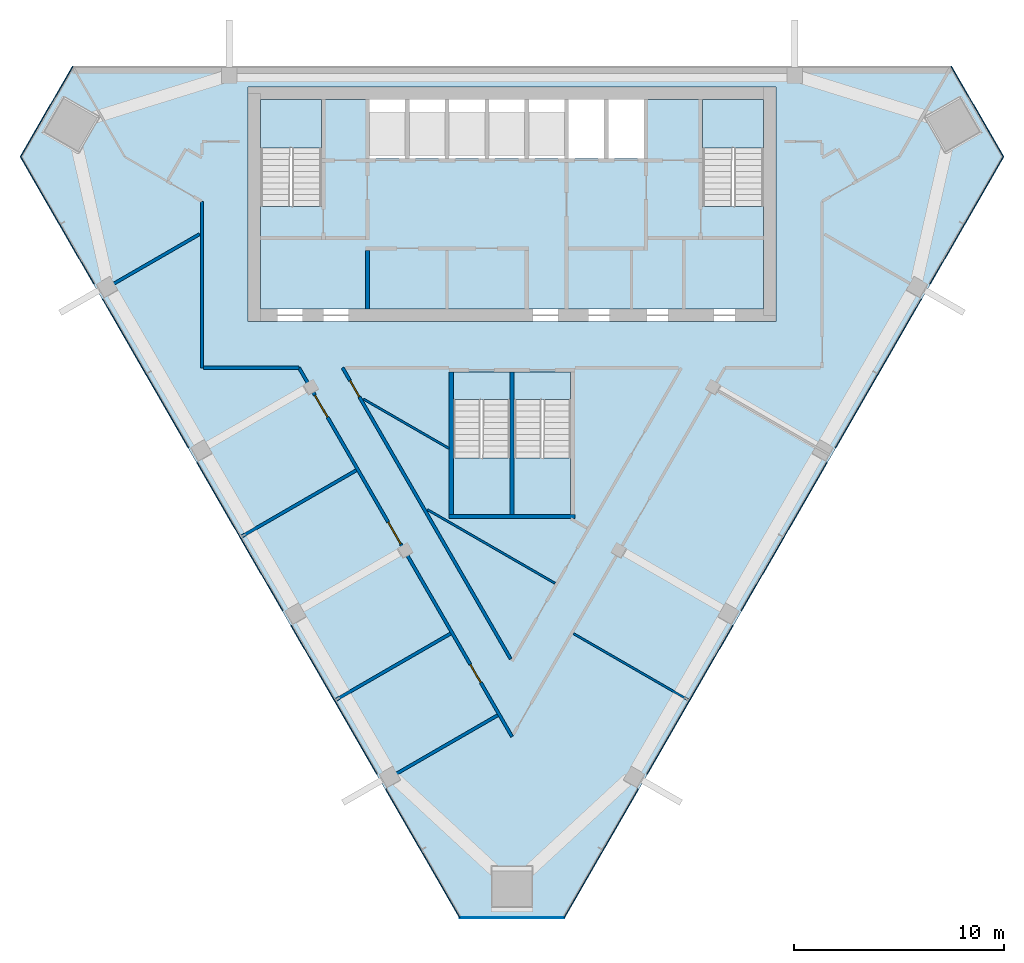
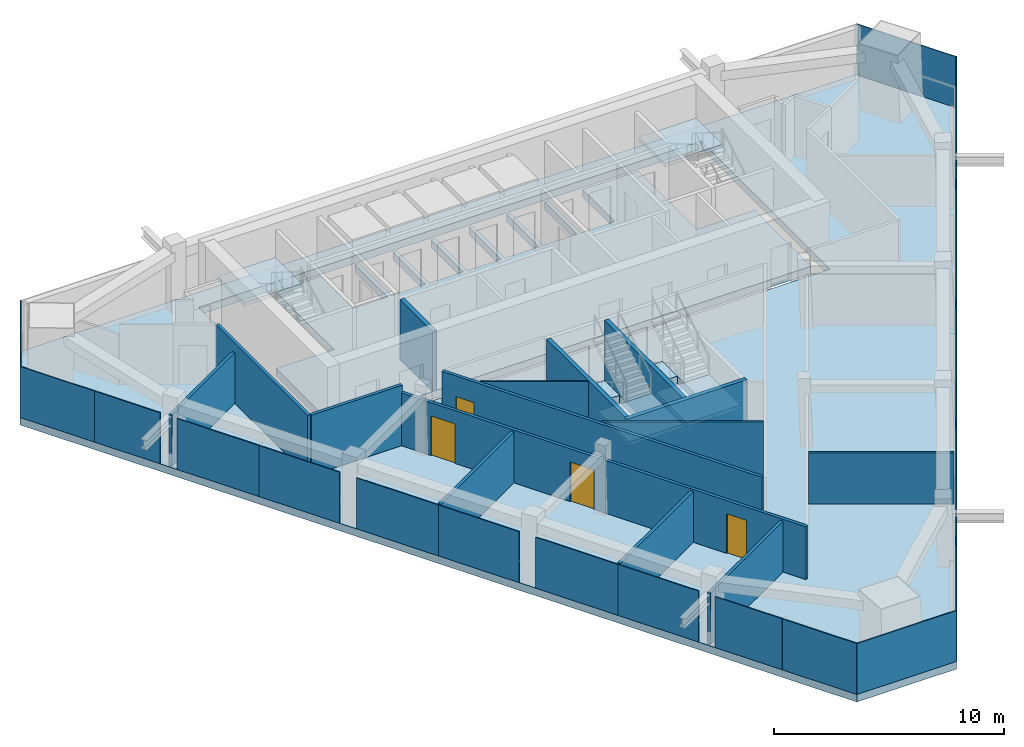
# One storey, part 7 of 12: 23 plates, 15 walls, 8 slabs, 4 doors, 4 openings, 9 elements without a shape of their own.
"""IFC4 building model written with IfcOpenShell, lengths in metres."""

import ifcopenshell
import ifcopenshell.guid

model = None  # the IFC model being written
_history = None  # IfcOwnerHistory: only IFC2X3 demands one
_inside = {}  # id of a spatial element -> (the spatial element, [elements in it])
_under = {}  # id of a project, library or spatial element -> (it, [spatial elements below it])
_declared = {}  # id of a project -> (the project, [libraries it declares])
_typed = {}  # id of a type object -> (the type object, [elements of that type])
_made_of = {}  # id of a material, layer set ... -> (it, [elements and type objects made of it])


def new_model(schema):
    """Start an empty IFC model of exactly this schema.

    Asked for "IFC4X3", IfcOpenShell would pick the latest addendum, in which some entities
    have other attributes; the version numbers below select the first issue.
    IFC2X3 requires an IfcOwnerHistory on every rooted entity: one is made here for all.
    """
    global model, _history
    if schema == "IFC4X3":
        model = ifcopenshell.file(schema_version=(4, 3, 0, 0))
    else:
        model = ifcopenshell.file(schema=schema)
    _inside.clear()
    _under.clear()
    _declared.clear()
    _typed.clear()
    _made_of.clear()
    _history = None
    if model.schema == "IFC2X3":
        org = make("IfcOrganization", Name="unknown")
        user = make(
            "IfcPersonAndOrganization",
            ThePerson=make("IfcPerson", FamilyName="unknown"),
            TheOrganization=org,
        )
        app = make(
            "IfcApplication",
            ApplicationDeveloper=org,
            Version="unknown",
            ApplicationFullName="unknown",
            ApplicationIdentifier="unknown",
        )
        _history = make(
            "IfcOwnerHistory",
            OwningUser=user,
            OwningApplication=app,
            ChangeAction="ADDED",
            CreationDate=0,
        )
    return model


def make(cls, **values):
    """One entity of the class cls with the attributes given. An attribute that is None is left unset."""
    return model.create_entity(
        cls, **{name: value for name, value in values.items() if value is not None}
    )


def rooted(cls, **values):
    """An entity with a GlobalId (a new one), such as an element, a storey or a relation."""
    return make(cls, GlobalId=ifcopenshell.guid.new(), OwnerHistory=_history, **values)


def si_unit(unit_type, name, prefix=None):
    """IfcSIUnit, for example si_unit("LENGTHUNIT", "METRE", prefix="MILLI")."""
    return make("IfcSIUnit", UnitType=unit_type, Prefix=prefix, Name=name)


def assignment(units):
    """IfcUnitAssignment: the units of a project."""
    return None if units is None else make("IfcUnitAssignment", Units=units)


def point(xyz):
    """IfcCartesianPoint."""
    return None if xyz is None else make("IfcCartesianPoint", Coordinates=xyz)


def direction(xyz):
    """IfcDirection."""
    return None if xyz is None else make("IfcDirection", DirectionRatios=xyz)


def frame(location, z_axis=None, x_axis=None):
    """IfcAxis2Placement3D, a coordinate frame: its origin and axes. An axis left out is left unset."""
    return make(
        "IfcAxis2Placement3D",
        Location=point(location),
        Axis=direction(z_axis),
        RefDirection=direction(x_axis),
    )


def frame_2d(location, x_axis=None):
    """IfcAxis2Placement2D, a coordinate frame in the plane: its origin and x axis."""
    return make(
        "IfcAxis2Placement2D", Location=point(location), RefDirection=direction(x_axis)
    )


def origin():
    """The frame at (0, 0, 0) with its axes left unset."""
    return frame((0.0, 0.0, 0.0))


def origin_2d():
    """The frame at (0, 0) in the plane with its x axis left unset."""
    return frame_2d((0.0, 0.0))


def place(relative_to, where):
    """IfcLocalPlacement: puts the frame where relative to a parent placement (None: the world)."""
    return make(
        "IfcLocalPlacement", PlacementRelTo=relative_to, RelativePlacement=where
    )


def context(
    kind, dimensions, precision=None, world=None, true_north=None, identifier=None
):
    """IfcGeometricRepresentationContext, for example the 3D "Model" context."""
    return make(
        "IfcGeometricRepresentationContext",
        ContextIdentifier=identifier,
        ContextType=kind,
        CoordinateSpaceDimension=dimensions,
        Precision=precision,
        WorldCoordinateSystem=world,
        TrueNorth=true_north,
    )


def subcontext(parent, identifier, kind, view, scale=None):
    """IfcGeometricRepresentationSubContext, for example "Body" below "Model"."""
    return make(
        "IfcGeometricRepresentationSubContext",
        ContextIdentifier=identifier,
        ContextType=kind,
        ParentContext=parent,
        TargetScale=scale,
        TargetView=view,
    )


def project(units=None, contexts=None):
    """IfcProject with its units and contexts."""
    return rooted(
        "IfcProject",
        Name="project",
        RepresentationContexts=contexts,
        UnitsInContext=assignment(units),
    )


def spatial(cls, under=None, at=None, **own):
    """A site, building, storey or space (cls), placed at a placement, below another one or the project."""
    s = rooted(cls, ObjectPlacement=at, **own)
    if under is not None:
        _under.setdefault(under.id(), (under, []))[1].append(s)
    return s


def polyline(points):
    """IfcPolyline through the points."""
    return make("IfcPolyline", Points=[point(p) for p in points])


def profile(cls, at=None, kind="AREA", **sizes):
    """A parametric profile (cls). Its sizes go by their IFC names, for example OverallWidth=200.0."""
    return make(cls, ProfileType=kind, Position=at, **sizes)


def rectangle(**sizes):
    """IfcRectangleProfileDef."""
    return profile("IfcRectangleProfileDef", **sizes)


def outline(outer, holes=None, kind="AREA"):
    """IfcArbitraryClosedProfileDef: a profile drawn as a closed curve; with holes, ...WithVoids."""
    if holes is None:
        return make("IfcArbitraryClosedProfileDef", ProfileType=kind, OuterCurve=outer)
    return make(
        "IfcArbitraryProfileDefWithVoids",
        ProfileType=kind,
        OuterCurve=outer,
        InnerCurves=holes,
    )


def extrude(swept, where, along, depth):
    """IfcExtrudedAreaSolid: the profile swept, set in the frame where, extruded along a direction by depth."""
    return make(
        "IfcExtrudedAreaSolid",
        SweptArea=swept,
        Position=where,
        ExtrudedDirection=direction(along),
        Depth=depth,
    )


def shape(context_of_items, identifier, shape_type, items):
    """IfcShapeRepresentation: the items that make up one representation, for example the "Body"."""
    return make(
        "IfcShapeRepresentation",
        ContextOfItems=context_of_items,
        RepresentationIdentifier=identifier,
        RepresentationType=shape_type,
        Items=items,
    )


def material(Name=None, Category=None):
    """IfcMaterial."""
    return make("IfcMaterial", Name=Name, Category=Category)


def layer(
    of_material, thickness, ventilated=None, Name=None, Category=None, Priority=None
):
    """IfcMaterialLayer: one layer of a wall or slab, of a material (None: an air gap)."""
    return make(
        "IfcMaterialLayer",
        Material=of_material,
        LayerThickness=thickness,
        IsVentilated=ventilated,
        Name=Name,
        Category=Category,
        Priority=Priority,
    )


def layer_set(layers, Name=None):
    """IfcMaterialLayerSet."""
    return make("IfcMaterialLayerSet", MaterialLayers=layers, LayerSetName=Name)


def made_of(thing, what):
    """Note that an element or type object is made of a material, layer set ...; save() writes the relation."""
    if what is not None:
        _made_of.setdefault(what.id(), (what, []))[1].append(thing)
    return thing


def type_object(cls, material=None, **own):
    """A type object (cls), such as IfcWallType, which elements share."""
    return made_of(rooted(cls, **own), material)


def element(
    cls,
    number,
    at=None,
    inside=None,
    cuts=None,
    type_object=None,
    material=None,
    context=None,
    identifier="Body",
    shape_type=None,
    held_by="IfcProductDefinitionShape",
    body=None,
    shapes=None,
    **own,
):
    """One element of the class cls, such as IfcWall. Its Tag is "e" and its number.

    at: its placement. inside: the storey or other place that contains it. cuts: it is an
    opening in that element (IfcRelVoidsElement). A single representation is given by context,
    identifier, shape_type and body (its items); several are given by shapes. held_by: the class
    of the entity that holds the representations. save() writes the other relations.
    """
    e = rooted(cls, Tag="e%d" % number, ObjectPlacement=at, **own)
    if body is not None:
        shapes = [shape(context, identifier, shape_type, body)]
    if shapes is not None:
        e.Representation = make(held_by, Representations=shapes)
    if inside is not None:
        _inside.setdefault(inside.id(), (inside, []))[1].append(e)
    if cuts is not None:
        rooted(
            "IfcRelVoidsElement", RelatingBuildingElement=cuts, RelatedOpeningElement=e
        )
    if type_object is not None:
        _typed.setdefault(type_object.id(), (type_object, []))[1].append(e)
    return made_of(e, material)


def fill(opening, filler):
    """IfcRelFillsElement: the door or window that sits in an opening."""
    return rooted(
        "IfcRelFillsElement",
        RelatingOpeningElement=opening,
        RelatedBuildingElement=filler,
    )


def aggregate(whole, parts):
    """IfcRelAggregates: a whole, such as a stair, and the parts it consists of."""
    return rooted("IfcRelAggregates", RelatingObject=whole, RelatedObjects=parts)


def save(model, path):
    """Write the relations noted so far, then the file.

    IfcRelAggregates (storeys below a building ...), IfcRelContainedInSpatialStructure (elements
    in a storey), IfcRelDefinesByType, IfcRelAssociatesMaterial and IfcRelDeclares: one each for
    every whole, place, type object, material and project.
    """
    for whole, parts in _under.values():
        aggregate(whole, parts)
    for where, things in _inside.values():
        rooted(
            "IfcRelContainedInSpatialStructure",
            RelatedElements=things,
            RelatingStructure=where,
        )
    for kind, things in _typed.values():
        rooted("IfcRelDefinesByType", RelatedObjects=things, RelatingType=kind)
    for what, things in _made_of.values():
        rooted("IfcRelAssociatesMaterial", RelatedObjects=things, RelatingMaterial=what)
    for by, libraries in _declared.values():
        rooted("IfcRelDeclares", RelatingContext=by, RelatedDefinitions=libraries)
    model.write(path)


model = new_model("IFC4")

# Units and contexts
model_context = context("Model", 3, precision=1e-05, world=origin(), true_north=direction((0.0, 1.0)))
body_context = subcontext(model_context, "Body", "Model", "MODEL_VIEW")
ifc_project = project(units=[si_unit("LENGTHUNIT", "METRE"), si_unit("AREAUNIT", "SQUARE_METRE"), si_unit("VOLUMEUNIT", "CUBIC_METRE"), si_unit("PLANEANGLEUNIT", "RADIAN"), si_unit("MASSUNIT", "GRAM", prefix="KILO")], contexts=[model_context])

# Site, building, storey
site_placement = place(None, origin())
site = spatial("IfcSite", under=ifc_project, at=site_placement, CompositionType="ELEMENT")
building_placement = place(site_placement, origin())
building = spatial("IfcBuilding", under=site, at=building_placement, Name="Altiplano Prism Tower", CompositionType="ELEMENT")
storey_placement = place(building_placement, frame((0.0, 0.0, 260.800048828125)))
storey = spatial("IfcBuildingStorey", under=building, at=storey_placement, Name="L67", CompositionType="ELEMENT", Elevation=260.800048828125)

# Curtain wall, plate
ifc_material_1 = material(Name="Aluminium and glass", Category="aluminium")
ifc_layer_1 = layer(ifc_material_1, 0.303955078125)
ifc_layer_set_1 = layer_set([ifc_layer_1], Name="Aluminium and glass")
curtain_wall_type = type_object("IfcCurtainWallType", Name="CW2 lounge-band unitised glazing", PredefinedType="NOTDEFINED", material=ifc_layer_set_1)
curtain_wall_1_placement = place(storey_placement, origin())
curtain_wall_1 = element("IfcCurtainWall", 1, at=curtain_wall_1_placement, inside=storey, type_object=curtain_wall_type, Name="CW2 curtain wall north-west chamfer L67", PredefinedType="NOTDEFINED")
ifc_material_2 = material(Name="Clear glass", Category="glass")
ifc_layer_2 = layer(ifc_material_2, 0.0439453125)
ifc_layer_set_2 = layer_set([ifc_layer_2], Name="Clear glass")
plate_type = type_object("IfcPlateType", Name="CW2 insulated glass unit 44", PredefinedType="CURTAIN_PANEL", material=ifc_layer_set_2)
plate_1_placement = place(storey_placement, frame((62.78662109375, 102.823486328125, 0.0), z_axis=(0.0, 0.0, 1.0), x_axis=(-0.500000026149, -0.866025388687, 0.0)))
plate_1 = element("IfcPlate", 2, at=plate_1_placement, type_object=plate_type, Name="CW2 panel", PredefinedType="CURTAIN_PANEL", context=body_context, shape_type="SweptSolid", body=[
    extrude(rectangle(XDim=4.9912109375, YDim=0.0439453125, at=origin_2d()), origin(), (0.0, 0.0, 1.0), 2.699951171875),
])
aggregate(curtain_wall_1, [plate_1])

# Curtain wall, plates
curtain_wall_2_placement = place(storey_placement, origin())
curtain_wall_2 = element("IfcCurtainWall", 3, at=curtain_wall_2_placement, inside=storey, type_object=curtain_wall_type, Name="CW2 curtain wall south-west face L67", PredefinedType="NOTDEFINED")
plate_2_placement = place(storey_placement, frame((62.4716796875, 99.059814453125, 0.0), z_axis=(0.0, 0.0, 1.0), x_axis=(0.500000006273, -0.866025400163, 0.0)))
plate_2 = element("IfcPlate", 4, at=plate_2_placement, type_object=plate_type, Name="CW2 panel", PredefinedType="CURTAIN_PANEL", context=body_context, shape_type="SweptSolid", body=[
    extrude(rectangle(XDim=3.73095703125, YDim=0.0439453125, at=origin_2d()), origin(), (0.0, 0.0, 1.0), 2.699951171875),
])
plate_3_placement = place(storey_placement, frame((64.228515625, 96.016845703125, 0.0), z_axis=(0.0, 0.0, 1.0), x_axis=(0.500000006273, -0.866025400163, 0.0)))
plate_3 = element("IfcPlate", 5, at=plate_3_placement, type_object=plate_type, Name="CW2 panel", PredefinedType="CURTAIN_PANEL", context=body_context, shape_type="SweptSolid", body=[
    extrude(rectangle(XDim=3.2763671875, YDim=0.0439453125, at=origin_2d()), origin(), (0.0, 0.0, 1.0), 2.699951171875),
])
plate_4_placement = place(storey_placement, frame((66.496337890625, 92.0888671875, 0.0), z_axis=(0.0, 0.0, 1.0), x_axis=(0.500000006273, -0.866025400163, 0.0)))
plate_4 = element("IfcPlate", 6, at=plate_4_placement, type_object=plate_type, Name="CW2 panel", PredefinedType="CURTAIN_PANEL", context=body_context, shape_type="SweptSolid", body=[
    extrude(rectangle(XDim=4.114501953125, YDim=0.0439453125, at=origin_2d()), origin(), (0.0, 0.0, 1.0), 2.699951171875),
])
plate_5_placement = place(storey_placement, frame((68.538818359375, 88.55126953125, 0.0), z_axis=(0.0, 0.0, 1.0), x_axis=(0.500000006273, -0.866025400163, 0.0)))
plate_5 = element("IfcPlate", 7, at=plate_5_placement, type_object=plate_type, Name="CW2 panel", PredefinedType="CURTAIN_PANEL", context=body_context, shape_type="SweptSolid", body=[
    extrude(rectangle(XDim=4.035400390625, YDim=0.0439453125, at=origin_2d()), origin(), (0.0, 0.0, 1.0), 2.699951171875),
])
plate_6_placement = place(storey_placement, frame((70.996337890625, 84.294677734375, 0.0), z_axis=(0.0, 0.0, 1.0), x_axis=(0.500000006273, -0.866025400163, 0.0)))
plate_6 = element("IfcPlate", 8, at=plate_6_placement, type_object=plate_type, Name="CW2 panel", PredefinedType="CURTAIN_PANEL", context=body_context, shape_type="SweptSolid", body=[
    extrude(rectangle(XDim=4.114501953125, YDim=0.0439453125, at=origin_2d()), origin(), (0.0, 0.0, 1.0), 2.699951171875),
])
plate_7_placement = place(storey_placement, frame((73.038818359375, 80.757080078125, 0.0), z_axis=(0.0, 0.0, 1.0), x_axis=(0.500000006273, -0.866025400163, 0.0)))
plate_7 = element("IfcPlate", 9, at=plate_7_placement, type_object=plate_type, Name="CW2 panel", PredefinedType="CURTAIN_PANEL", context=body_context, shape_type="SweptSolid", body=[
    extrude(rectangle(XDim=4.035400390625, YDim=0.0439453125, at=origin_2d()), origin(), (0.0, 0.0, 1.0), 2.699951171875),
])
plate_8_placement = place(storey_placement, frame((75.496337890625, 76.50048828125, 0.0), z_axis=(0.0, 0.0, 1.0), x_axis=(0.500000006273, -0.866025400163, 0.0)))
plate_8 = element("IfcPlate", 10, at=plate_8_placement, type_object=plate_type, Name="CW2 panel", PredefinedType="CURTAIN_PANEL", context=body_context, shape_type="SweptSolid", body=[
    extrude(rectangle(XDim=4.114501953125, YDim=0.0439453125, at=origin_2d()), origin(), (0.0, 0.0, 1.0), 2.699951171875),
])
plate_9_placement = place(storey_placement, frame((77.538818359375, 72.962890625, 0.0), z_axis=(0.0, 0.0, 1.0), x_axis=(0.500000006273, -0.866025400163, 0.0)))
plate_9 = element("IfcPlate", 11, at=plate_9_placement, type_object=plate_type, Name="CW2 panel", PredefinedType="CURTAIN_PANEL", context=body_context, shape_type="SweptSolid", body=[
    extrude(rectangle(XDim=4.035400390625, YDim=0.0439453125, at=origin_2d()), origin(), (0.0, 0.0, 1.0), 2.699951171875),
])
plate_10_placement = place(storey_placement, frame((79.806640625, 69.034912109375, 0.0), z_axis=(0.0, 0.0, 1.0), x_axis=(0.500000006273, -0.866025400163, 0.0)))
plate_10 = element("IfcPlate", 12, at=plate_10_placement, type_object=plate_type, Name="CW2 panel", PredefinedType="CURTAIN_PANEL", context=body_context, shape_type="SweptSolid", body=[
    extrude(rectangle(XDim=3.35546875, YDim=0.0439453125, at=origin_2d()), origin(), (0.0, 0.0, 1.0), 2.699951171875),
])
plate_11_placement = place(storey_placement, frame((81.583251953125, 65.957763671875, 0.0), z_axis=(0.0, 0.0, 1.0), x_axis=(0.500000006273, -0.866025400163, 0.0)))
plate_11 = element("IfcPlate", 13, at=plate_11_placement, type_object=plate_type, Name="CW2 panel", PredefinedType="CURTAIN_PANEL", context=body_context, shape_type="SweptSolid", body=[
    extrude(rectangle(XDim=3.73095703125, YDim=0.0439453125, at=origin_2d()), origin(), (0.0, 0.0, 1.0), 2.699951171875),
])
aggregate(curtain_wall_2, [plate_2, plate_3, plate_4, plate_5, plate_6, plate_7, plate_8, plate_9, plate_10, plate_11])

# Curtain wall, plate
curtain_wall_3_placement = place(storey_placement, origin())
curtain_wall_3 = element("IfcCurtainWall", 14, at=curtain_wall_3_placement, inside=storey, type_object=curtain_wall_type, Name="CW2 curtain wall south chamfer L67", PredefinedType="NOTDEFINED")
plate_12_placement = place(storey_placement, frame((85.0, 64.348876953125, 0.0), z_axis=(0.0, 0.0, 1.0), x_axis=(1.0, 0.0, 0.0)))
plate_12 = element("IfcPlate", 15, at=plate_12_placement, type_object=plate_type, Name="CW2 panel", PredefinedType="CURTAIN_PANEL", context=body_context, shape_type="SweptSolid", body=[
    extrude(rectangle(XDim=4.9912109375, YDim=0.0439453125, at=origin_2d()), origin(), (0.0, 0.0, 1.0), 2.699951171875),
])
aggregate(curtain_wall_3, [plate_12])

# Curtain wall, plates
curtain_wall_4_placement = place(storey_placement, origin())
curtain_wall_4 = element("IfcCurtainWall", 16, at=curtain_wall_4_placement, inside=storey, type_object=curtain_wall_type, Name="CW2 curtain wall south-east face L67", PredefinedType="NOTDEFINED")
plate_13_placement = place(storey_placement, frame((88.416748046875, 65.957763671875, 0.0), z_axis=(0.0, 0.0, 1.0), x_axis=(0.500000006273, 0.866025400163, 0.0)))
plate_13 = element("IfcPlate", 17, at=plate_13_placement, type_object=plate_type, Name="CW2 panel", PredefinedType="CURTAIN_PANEL", context=body_context, shape_type="SweptSolid", body=[
    extrude(rectangle(XDim=3.73095703125, YDim=0.0439453125, at=origin_2d()), origin(), (0.0, 0.0, 1.0), 2.699951171875),
])
plate_14_placement = place(storey_placement, frame((90.193359375, 69.034912109375, 0.0), z_axis=(0.0, 0.0, 1.0), x_axis=(0.500000006273, 0.866025400163, 0.0)))
plate_14 = element("IfcPlate", 18, at=plate_14_placement, type_object=plate_type, Name="CW2 panel", PredefinedType="CURTAIN_PANEL", context=body_context, shape_type="SweptSolid", body=[
    extrude(rectangle(XDim=3.35546875, YDim=0.0439453125, at=origin_2d()), origin(), (0.0, 0.0, 1.0), 2.699951171875),
])
plate_15_placement = place(storey_placement, frame((92.461181640625, 72.962890625, 0.0), z_axis=(0.0, 0.0, 1.0), x_axis=(0.500000006273, 0.866025400163, 0.0)))
plate_15 = element("IfcPlate", 19, at=plate_15_placement, type_object=plate_type, Name="CW2 panel", PredefinedType="CURTAIN_PANEL", context=body_context, shape_type="SweptSolid", body=[
    extrude(rectangle(XDim=4.035400390625, YDim=0.0439453125, at=origin_2d()), origin(), (0.0, 0.0, 1.0), 2.699951171875),
])
plate_16_placement = place(storey_placement, frame((94.503662109375, 76.50048828125, 0.0), z_axis=(0.0, 0.0, 1.0), x_axis=(0.500000006273, 0.866025400163, 0.0)))
plate_16 = element("IfcPlate", 20, at=plate_16_placement, type_object=plate_type, Name="CW2 panel", PredefinedType="CURTAIN_PANEL", context=body_context, shape_type="SweptSolid", body=[
    extrude(rectangle(XDim=4.114501953125, YDim=0.0439453125, at=origin_2d()), origin(), (0.0, 0.0, 1.0), 2.699951171875),
])
plate_17_placement = place(storey_placement, frame((96.961181640625, 80.757080078125, 0.0), z_axis=(0.0, 0.0, 1.0), x_axis=(0.500000006273, 0.866025400163, 0.0)))
plate_17 = element("IfcPlate", 21, at=plate_17_placement, type_object=plate_type, Name="CW2 panel", PredefinedType="CURTAIN_PANEL", context=body_context, shape_type="SweptSolid", body=[
    extrude(rectangle(XDim=4.035400390625, YDim=0.0439453125, at=origin_2d()), origin(), (0.0, 0.0, 1.0), 2.699951171875),
])
plate_18_placement = place(storey_placement, frame((99.003662109375, 84.294677734375, 0.0), z_axis=(0.0, 0.0, 1.0), x_axis=(0.500000006273, 0.866025400163, 0.0)))
plate_18 = element("IfcPlate", 22, at=plate_18_placement, type_object=plate_type, Name="CW2 panel", PredefinedType="CURTAIN_PANEL", context=body_context, shape_type="SweptSolid", body=[
    extrude(rectangle(XDim=4.114501953125, YDim=0.0439453125, at=origin_2d()), origin(), (0.0, 0.0, 1.0), 2.699951171875),
])
plate_19_placement = place(storey_placement, frame((101.461181640625, 88.55126953125, 0.0), z_axis=(0.0, 0.0, 1.0), x_axis=(0.500000006273, 0.866025400163, 0.0)))
plate_19 = element("IfcPlate", 23, at=plate_19_placement, type_object=plate_type, Name="CW2 panel", PredefinedType="CURTAIN_PANEL", context=body_context, shape_type="SweptSolid", body=[
    extrude(rectangle(XDim=4.035400390625, YDim=0.0439453125, at=origin_2d()), origin(), (0.0, 0.0, 1.0), 2.699951171875),
])
plate_20_placement = place(storey_placement, frame((103.503662109375, 92.0888671875, 0.0), z_axis=(0.0, 0.0, 1.0), x_axis=(0.500000006273, 0.866025400163, 0.0)))
plate_20 = element("IfcPlate", 24, at=plate_20_placement, type_object=plate_type, Name="CW2 panel", PredefinedType="CURTAIN_PANEL", context=body_context, shape_type="SweptSolid", body=[
    extrude(rectangle(XDim=4.114501953125, YDim=0.0439453125, at=origin_2d()), origin(), (0.0, 0.0, 1.0), 2.699951171875),
])
plate_21_placement = place(storey_placement, frame((105.771484375, 96.016845703125, 0.0), z_axis=(0.0, 0.0, 1.0), x_axis=(0.500000006273, 0.866025400163, 0.0)))
plate_21 = element("IfcPlate", 25, at=plate_21_placement, type_object=plate_type, Name="CW2 panel", PredefinedType="CURTAIN_PANEL", context=body_context, shape_type="SweptSolid", body=[
    extrude(rectangle(XDim=3.2763671875, YDim=0.0439453125, at=origin_2d()), origin(), (0.0, 0.0, 1.0), 2.699951171875),
])
plate_22_placement = place(storey_placement, frame((107.5283203125, 99.059814453125, 0.0), z_axis=(0.0, 0.0, 1.0), x_axis=(0.500000006273, 0.866025400163, 0.0)))
plate_22 = element("IfcPlate", 26, at=plate_22_placement, type_object=plate_type, Name="CW2 panel", PredefinedType="CURTAIN_PANEL", context=body_context, shape_type="SweptSolid", body=[
    extrude(rectangle(XDim=3.73095703125, YDim=0.0439453125, at=origin_2d()), origin(), (0.0, 0.0, 1.0), 2.699951171875),
])
aggregate(curtain_wall_4, [plate_13, plate_14, plate_15, plate_16, plate_17, plate_18, plate_19, plate_20, plate_21, plate_22])

# Curtain wall, plate
curtain_wall_5_placement = place(storey_placement, origin())
curtain_wall_5 = element("IfcCurtainWall", 27, at=curtain_wall_5_placement, inside=storey, type_object=curtain_wall_type, Name="CW2 curtain wall north-east chamfer L67", PredefinedType="NOTDEFINED")
plate_23_placement = place(storey_placement, frame((107.21337890625, 102.823486328125, 0.0), z_axis=(0.0, 0.0, 1.0), x_axis=(-0.500000026149, 0.866025388687, 0.0)))
plate_23 = element("IfcPlate", 28, at=plate_23_placement, type_object=plate_type, Name="CW2 panel", PredefinedType="CURTAIN_PANEL", context=body_context, shape_type="SweptSolid", body=[
    extrude(rectangle(XDim=4.9912109375, YDim=0.0439453125, at=origin_2d()), origin(), (0.0, 0.0, 1.0), 2.699951171875),
])
aggregate(curtain_wall_5, [plate_23])

# Slabs
ifc_material_3 = material(Name="Concrete C40/50", Category="concrete")
ifc_layer_3 = layer(ifc_material_3, 0.39990234375)
ifc_layer_set_3 = layer_set([ifc_layer_3], Name="Concrete C40/50")
slab_type_1 = type_object("IfcSlabType", Name="Core floor slab 400", PredefinedType="FLOOR", material=ifc_layer_set_3)
slab_1_placement = place(storey_placement, frame((0.0, 0.0, -0.400146484375)))
element("IfcSlab", 29, at=slab_1_placement, inside=storey, type_object=slab_type_1, Name="Core floor slab L67", PredefinedType="FLOOR", context=body_context, shape_type="SweptSolid", body=[
    extrude(outline(polyline([(97.0, 98.31005859375), (94.10009765625, 98.31005859375), (94.10009765625, 103.39990234375), (91.300048828125, 103.39990234375), (91.300048828125, 100.60009765625), (89.60009765625, 100.60009765625), (89.60009765625, 103.39990234375), (89.39990234375, 103.39990234375), (89.39990234375, 100.60009765625), (87.699951171875, 100.60009765625), (87.699951171875, 103.39990234375), (87.5, 103.39990234375), (87.5, 100.60009765625), (85.800048828125, 100.60009765625), (85.800048828125, 103.39990234375), (85.60009765625, 103.39990234375), (85.60009765625, 100.60009765625), (83.89990234375, 100.60009765625), (83.89990234375, 103.39990234375), (83.699951171875, 103.39990234375), (83.699951171875, 100.60009765625), (82.0, 100.60009765625), (82.0, 103.39990234375), (81.800048828125, 103.39990234375), (81.800048828125, 100.60009765625), (80.10009765625, 100.60009765625), (80.10009765625, 103.39990234375), (79.89990234375, 103.39990234375), (79.89990234375, 100.60009765625), (78.199951171875, 100.60009765625), (78.199951171875, 103.39990234375), (75.89990234375, 103.39990234375), (75.89990234375, 98.31005859375), (73.0, 98.31005859375), (73.0, 93.39990234375), (97.0, 93.39990234375), (97.0, 98.31005859375)])), origin(), (0.0, 0.0, 1.0), 0.400146484375),
])
slab_2_placement = place(storey_placement, frame((0.0, 0.0, -0.400146484375)))
element("IfcSlab", 30, at=slab_2_placement, inside=storey, type_object=slab_type_1, Name="Stair 3A landing slab L67", PredefinedType="FLOOR", context=body_context, shape_type="SweptSolid", body=[
    extrude(outline(polyline([(82.199951171875, 89.096923828125), (84.89990234375, 89.096923828125), (84.89990234375, 90.39990234375), (82.199951171875, 90.39990234375), (82.199951171875, 89.096923828125)])), origin(), (0.0, 0.0, 1.0), 0.400146484375),
])
slab_3_placement = place(storey_placement, frame((0.0, 0.0, -0.400146484375)))
element("IfcSlab", 31, at=slab_3_placement, inside=storey, type_object=slab_type_1, Name="Stair 3B landing slab L67", PredefinedType="FLOOR", context=body_context, shape_type="SweptSolid", body=[
    extrude(outline(polyline([(85.10009765625, 89.096923828125), (87.800048828125, 89.096923828125), (87.800048828125, 90.39990234375), (85.10009765625, 90.39990234375), (85.10009765625, 89.096923828125)])), origin(), (0.0, 0.0, 1.0), 0.400146484375),
])
ifc_layer_4 = layer(ifc_material_3, 0.39990234375)
ifc_layer_set_4 = layer_set([ifc_layer_4], Name="Concrete C40/50")
slab_type_2 = type_object("IfcSlabType", Name="Post-tensioned flat slab 400", PredefinedType="FLOOR", material=ifc_layer_set_4)
slab_4_placement = place(storey_placement, frame((0.0, 0.0, -0.400146484375)))
element("IfcSlab", 32, at=slab_4_placement, inside=storey, type_object=slab_type_2, Name="Floor slab L67", PredefinedType="FLOOR", context=body_context, shape_type="SweptSolid", body=[
    extrude(outline(polyline([(82.499267578125, 64.326904296875), (61.517333984375, 100.668701171875), (64.017822265625, 105.0), (105.982177734375, 105.0), (108.482666015625, 100.668701171875), (87.500732421875, 64.326904296875), (82.499267578125, 64.326904296875)]), holes=[polyline([(72.39990234375, 104.0), (72.39990234375, 92.800048828125), (97.60009765625, 92.800048828125), (97.60009765625, 104.0), (72.39990234375, 104.0)]), polyline([(84.89990234375, 90.39990234375), (82.199951171875, 90.39990234375), (82.199951171875, 83.60009765625), (84.89990234375, 83.60009765625), (84.89990234375, 90.39990234375)]), polyline([(87.800048828125, 83.60009765625), (87.800048828125, 90.39990234375), (85.10009765625, 90.39990234375), (85.10009765625, 83.60009765625), (87.800048828125, 83.60009765625)])]), origin(), (0.0, 0.0, 1.0), 0.400146484375),
])

# Stair, slab
stair_type_1 = type_object("IfcStairType", Name="Exit stair 1400", PredefinedType="HALF_TURN_STAIR", material=ifc_material_3)
stair_1_placement = place(storey_placement, origin())
stair_1 = element("IfcStair", 33, at=stair_1_placement, inside=storey, type_object=stair_type_1, Name="L67 Exit Stair 1", PredefinedType="HALF_TURN_STAIR")
ifc_layer_5 = layer(ifc_material_3, 0.199951171875)
ifc_layer_set_5 = layer_set([ifc_layer_5], Name="Concrete C40/50")
slab_type_3 = type_object("IfcSlabType", Name="Stair landing 200", PredefinedType="LANDING", material=ifc_layer_set_5)
slab_5_placement = place(storey_placement, frame((0.0, 0.0, 1.599853515625)))
slab_5 = element("IfcSlab", 34, at=slab_5_placement, type_object=slab_type_3, Name="ST1 landing 1", PredefinedType="LANDING", context=body_context, shape_type="SweptSolid", body=[
    extrude(outline(polyline([(75.89990234375, 101.096923828125), (75.89990234375, 103.39990234375), (73.0, 103.39990234375), (73.0, 101.096923828125), (75.89990234375, 101.096923828125)])), origin(), (0.0, 0.0, 1.0), 0.2001953125),
])
aggregate(stair_1, [slab_5])

stair_2_placement = place(storey_placement, origin())
stair_2 = element("IfcStair", 35, at=stair_2_placement, inside=storey, type_object=stair_type_1, Name="L67 Exit Stair 2", PredefinedType="HALF_TURN_STAIR")
slab_6_placement = place(storey_placement, frame((0.0, 0.0, 1.599853515625)))
slab_6 = element("IfcSlab", 36, at=slab_6_placement, type_object=slab_type_3, Name="ST2 landing 1", PredefinedType="LANDING", context=body_context, shape_type="SweptSolid", body=[
    extrude(outline(polyline([(97.0, 101.096923828125), (97.0, 103.39990234375), (94.10009765625, 103.39990234375), (94.10009765625, 101.096923828125), (97.0, 101.096923828125)])), origin(), (0.0, 0.0, 1.0), 0.2001953125),
])
aggregate(stair_2, [slab_6])

stair_type_2 = type_object("IfcStairType", Name="Exit stair 1300", PredefinedType="HALF_TURN_STAIR", material=ifc_material_3)
stair_3_placement = place(storey_placement, origin())
stair_3 = element("IfcStair", 37, at=stair_3_placement, inside=storey, type_object=stair_type_2, Name="L67 Exit Stair 3A", PredefinedType="HALF_TURN_STAIR")
slab_7_placement = place(storey_placement, frame((0.0, 0.0, 1.599853515625)))
slab_7 = element("IfcSlab", 38, at=slab_7_placement, type_object=slab_type_3, Name="ST3A landing 1", PredefinedType="LANDING", context=body_context, shape_type="SweptSolid", body=[
    extrude(outline(polyline([(82.199951171875, 86.302978515625), (82.199951171875, 83.60009765625), (84.89990234375, 83.60009765625), (84.89990234375, 86.302978515625), (82.199951171875, 86.302978515625)])), origin(), (0.0, 0.0, 1.0), 0.2001953125),
])
aggregate(stair_3, [slab_7])

stair_4_placement = place(storey_placement, origin())
stair_4 = element("IfcStair", 39, at=stair_4_placement, inside=storey, type_object=stair_type_2, Name="L67 Exit Stair 3B", PredefinedType="HALF_TURN_STAIR")
slab_8_placement = place(storey_placement, frame((0.0, 0.0, 1.599853515625)))
slab_8 = element("IfcSlab", 40, at=slab_8_placement, type_object=slab_type_3, Name="ST3B landing 1", PredefinedType="LANDING", context=body_context, shape_type="SweptSolid", body=[
    extrude(outline(polyline([(85.10009765625, 86.302978515625), (85.10009765625, 83.60009765625), (87.800048828125, 83.60009765625), (87.800048828125, 86.302978515625), (85.10009765625, 86.302978515625)])), origin(), (0.0, 0.0, 1.0), 0.2001953125),
])
aggregate(stair_4, [slab_8])

# Walls
ifc_material_4 = material(Name="Plasterboard on steel stud", Category="steel")
ifc_layer_6 = layer(ifc_material_4, 0.10009765625)
ifc_layer_set_6 = layer_set([ifc_layer_6], Name="Plasterboard on steel stud")
wall_type_1 = type_object("IfcWallType", Name="Partition 100 wet", PredefinedType="PARTITIONING", material=ifc_layer_set_6)
wall_1_placement = place(storey_placement, frame((77.913330078125, 89.106689453125, 0.0), z_axis=(0.0, 0.0, 1.0), x_axis=(0.866031366395, -0.499989672313, 0.0)))
element("IfcWall", 41, at=wall_1_placement, inside=storey, type_object=wall_type_1, Name="Partition P03 L67 021", PredefinedType="PARTITIONING", context=body_context, shape_type="SweptSolid", body=[
    extrude(rectangle(XDim=4.71875, YDim=0.10009765625, at=frame_2d((2.359375, 0.0))), origin(), (0.0, 0.0, 1.0), 3.199951171875),
])
wall_2_placement = place(storey_placement, frame((87.058837890625, 80.3115234375, 0.0), z_axis=(0.0, 0.0, 1.0), x_axis=(-0.866033815432, 0.499985430317, 0.0)))
element("IfcWall", 42, at=wall_2_placement, inside=storey, type_object=wall_type_1, Name="Partition P03 L67 022", PredefinedType="PARTITIONING", context=body_context, shape_type="SweptSolid", body=[
    extrude(rectangle(XDim=7.045166015625, YDim=0.10009765625, at=frame_2d((3.5224609375, 0.0))), origin(), (0.0, 0.0, 1.0), 3.199951171875),
])
wall_3_placement = place(storey_placement, frame((93.405029296875, 74.753662109375, 0.0), z_axis=(0.0, 0.0, 1.0), x_axis=(-0.866032601554, 0.49998753289, 0.0)))
element("IfcWall", 43, at=wall_3_placement, inside=storey, type_object=wall_type_1, Name="Partition P03 L67 029", PredefinedType="PARTITIONING", context=body_context, shape_type="SweptSolid", body=[
    extrude(rectangle(XDim=6.324951171875, YDim=0.10009765625, at=frame_2d((3.16259765625, 0.0))), origin(), (0.0, 0.0, 1.0), 2.699951171875),
])

# Wall, opening, door
ifc_layer_7 = layer(ifc_material_4, 0.14990234375)
ifc_layer_set_7 = layer_set([ifc_layer_7], Name="Plasterboard on steel stud")
wall_type_2 = type_object("IfcWallType", Name="Partition 150 corridor", PredefinedType="PARTITIONING", material=ifc_layer_set_7)
wall_4_placement = place(storey_placement, frame((84.93505859375, 76.7080078125, 0.0), z_axis=(0.0, 0.0, 1.0), x_axis=(-0.499995605124, 0.866027941153, 0.0)))
wall_4 = element("IfcWall", 44, at=wall_4_placement, inside=storey, type_object=wall_type_2, Name="Partition P06 L67 002", PredefinedType="PARTITIONING", context=body_context, shape_type="SweptSolid", body=[
    extrude(rectangle(XDim=16.041259765625, YDim=0.14990234375, at=frame_2d((8.0205078125, 0.0))), origin(), (0.0, 0.0, 1.0), 3.199951171875),
])
opening_1_placement = place(wall_4_placement, frame((14.43701171875, 0.0, 0.0)))
opening_1 = element("IfcOpeningElement", 45, at=opening_1_placement, cuts=wall_4, Name="Opening D2140", PredefinedType="OPENING", context=body_context, shape_type="SweptSolid", body=[
    extrude(rectangle(XDim=0.89990234375, YDim=2.10009765625, at=frame_2d((0.449951171875, 1.050048828125))), frame((0.0, 0.08544921875, 0.0), z_axis=(0.0, -1.0, 0.0), x_axis=(1.0, 0.0, 0.0)), (0.0, 0.0, 1.0), 0.1708984375),
])
ifc_material_5 = material(Name="Timber", Category="wood")
door_type_1 = type_object("IfcDoorType", Name="Toilet door 900 x 2100", OperationType="NOTDEFINED", PredefinedType="NOTDEFINED", material=ifc_material_5)
door_1_placement = place(opening_1_placement, origin())
door_1 = element("IfcDoor", 46, at=door_1_placement, inside=storey, type_object=door_type_1, Name="Door D2140", OperationType="SINGLE_SWING_LEFT", OverallHeight=2.10009765625, OverallWidth=0.89990234375, PredefinedType="NOTDEFINED", context=body_context, shape_type="SweptSolid", body=[
    extrude(rectangle(XDim=0.89990234375, YDim=2.10009765625, at=frame_2d((0.449951171875, 1.050048828125))), frame((0.0, 0.02490234375, 0.0), z_axis=(0.0, -1.0, 0.0), x_axis=(1.0, 0.0, 0.0)), (0.0, 0.0, 1.0), 0.050048828125),
])
fill(opening_1, door_1)

# Walls
wall_5_placement = place(storey_placement, frame((70.199951171875, 98.543212890625, 0.0), z_axis=(0.0, 0.0, 1.0), x_axis=(0.0, -1.0, 0.0)))
element("IfcWall", 47, at=wall_5_placement, inside=storey, type_object=wall_type_2, Name="Partition P06 L67 004", PredefinedType="PARTITIONING", context=body_context, shape_type="SweptSolid", body=[
    extrude(rectangle(XDim=7.943115234375, YDim=0.14990234375, at=frame_2d((3.9716796875, 0.0))), origin(), (0.0, 0.0, 1.0), 3.199951171875),
])
wall_6_placement = place(storey_placement, frame((70.27490234375, 90.60009765625, 0.0), z_axis=(0.0, 0.0, 1.0), x_axis=(1.0, 0.0, 0.0)))
element("IfcWall", 48, at=wall_6_placement, inside=storey, type_object=wall_type_2, Name="Partition P06 L67 005", PredefinedType="PARTITIONING", context=body_context, shape_type="SweptSolid", body=[
    extrude(rectangle(XDim=4.561279296875, YDim=0.14990234375, at=frame_2d((2.28076171875, 0.0))), origin(), (0.0, 0.0, 1.0), 3.199951171875),
])

# Wall, openings, doors
wall_7_placement = place(storey_placement, frame((74.836181640625, 90.60009765625, 0.0), z_axis=(0.0, 0.0, 1.0), x_axis=(0.499994836728, -0.86602838478, 0.0)))
wall_7 = element("IfcWall", 49, at=wall_7_placement, inside=storey, type_object=wall_type_2, Name="Partition P06 L67 006", PredefinedType="PARTITIONING", context=body_context, shape_type="SweptSolid", body=[
    extrude(rectangle(XDim=20.327880859375, YDim=0.14990234375, at=frame_2d((10.1640625, 0.0))), origin(), (0.0, 0.0, 1.0), 2.800048828125),
])
opening_2_placement = place(wall_7_placement, frame((1.52197265625, 0.0, 0.0)))
opening_2 = element("IfcOpeningElement", 50, at=opening_2_placement, cuts=wall_7, Name="Opening D2143", PredefinedType="OPENING", context=body_context, shape_type="SweptSolid", body=[
    extrude(rectangle(XDim=1.199951171875, YDim=2.10009765625, at=frame_2d((0.60009765625, 1.050048828125))), frame((0.0, 0.08544921875, 0.0), z_axis=(0.0, -1.0, 0.0), x_axis=(1.0, 0.0, 0.0)), (0.0, 0.0, 1.0), 0.1708984375),
])
opening_3_placement = place(wall_7_placement, frame((8.5029296875, 0.0, 0.0)))
opening_3 = element("IfcOpeningElement", 51, at=opening_3_placement, cuts=wall_7, Name="Opening D2144", PredefinedType="OPENING", context=body_context, shape_type="SweptSolid", body=[
    extrude(rectangle(XDim=1.199951171875, YDim=2.10009765625, at=frame_2d((0.60009765625, 1.050048828125))), frame((0.0, 0.08544921875, 0.0), z_axis=(0.0, -1.0, 0.0), x_axis=(1.0, 0.0, 0.0)), (0.0, 0.0, 1.0), 0.1708984375),
])
opening_4_placement = place(wall_7_placement, frame((16.35302734375, 0.0, 0.0)))
opening_4 = element("IfcOpeningElement", 52, at=opening_4_placement, cuts=wall_7, Name="Opening D2145", PredefinedType="OPENING", context=body_context, shape_type="SweptSolid", body=[
    extrude(rectangle(XDim=1.0, YDim=2.10009765625, at=frame_2d((0.5, 1.050048828125))), frame((0.0, 0.08544921875, 0.0), z_axis=(0.0, -1.0, 0.0), x_axis=(1.0, 0.0, 0.0)), (0.0, 0.0, 1.0), 0.1708984375),
])
door_type_2 = type_object("IfcDoorType", Name="Room door 1000 x 2100", OperationType="NOTDEFINED", PredefinedType="NOTDEFINED", material=ifc_material_5)
door_2_placement = place(opening_4_placement, origin())
door_2 = element("IfcDoor", 53, at=door_2_placement, inside=storey, type_object=door_type_2, Name="Door D2145", OperationType="SINGLE_SWING_LEFT", OverallHeight=2.10009765625, OverallWidth=1.0, PredefinedType="NOTDEFINED", context=body_context, shape_type="SweptSolid", body=[
    extrude(rectangle(XDim=1.0, YDim=2.10009765625, at=frame_2d((0.5, 1.050048828125))), frame((0.0, 0.02490234375, 0.0), z_axis=(0.0, -1.0, 0.0), x_axis=(1.0, 0.0, 0.0)), (0.0, 0.0, 1.0), 0.050048828125),
])
fill(opening_4, door_2)
door_type_3 = type_object("IfcDoorType", Name="Shared room door 1200 x 2100", OperationType="NOTDEFINED", PredefinedType="NOTDEFINED", material=ifc_material_5)
door_3_placement = place(opening_2_placement, origin())
door_3 = element("IfcDoor", 54, at=door_3_placement, inside=storey, type_object=door_type_3, Name="Door D2143", OperationType="SINGLE_SWING_RIGHT", OverallHeight=2.10009765625, OverallWidth=1.199951171875, PredefinedType="NOTDEFINED", context=body_context, shape_type="SweptSolid", body=[
    extrude(rectangle(XDim=1.199951171875, YDim=2.10009765625, at=frame_2d((0.60009765625, 1.050048828125))), frame((0.0, 0.02490234375, 0.0), z_axis=(0.0, -1.0, 0.0), x_axis=(1.0, 0.0, 0.0)), (0.0, 0.0, 1.0), 0.050048828125),
])
fill(opening_2, door_3)
door_4_placement = place(opening_3_placement, origin())
door_4 = element("IfcDoor", 55, at=door_4_placement, inside=storey, type_object=door_type_3, Name="Door D2144", OperationType="SINGLE_SWING_LEFT", OverallHeight=2.10009765625, OverallWidth=1.199951171875, PredefinedType="NOTDEFINED", context=body_context, shape_type="SweptSolid", body=[
    extrude(rectangle(XDim=1.199951171875, YDim=2.10009765625, at=frame_2d((0.60009765625, 1.050048828125))), frame((0.0, 0.02490234375, 0.0), z_axis=(0.0, -1.0, 0.0), x_axis=(1.0, 0.0, 0.0)), (0.0, 0.0, 1.0), 0.050048828125),
])
fill(opening_3, door_4)

# Walls
ifc_layer_8 = layer(ifc_material_4, 0.14990234375)
ifc_layer_set_8 = layer_set([ifc_layer_8], Name="Plasterboard on steel stud")
wall_type_3 = type_object("IfcWallType", Name="Partition 150 party", PredefinedType="PARTITIONING", material=ifc_layer_set_8)
wall_8_placement = place(storey_placement, frame((65.344970703125, 94.2392578125, 0.0), z_axis=(0.0, 0.0, 1.0), x_axis=(0.866025963225, 0.49999903102, 0.0)))
element("IfcWall", 56, at=wall_8_placement, inside=storey, type_object=wall_type_3, Name="Partition P01 L67 023", PredefinedType="PARTITIONING", context=body_context, shape_type="SweptSolid", body=[
    extrude(rectangle(XDim=5.47607421875, YDim=0.14990234375, at=frame_2d((2.738037109375, 0.0))), origin(), (0.0, 0.0, 1.0), 2.699951171875),
])
for number, where, z_axis, x_axis, name in (
    (57, (72.094970703125, 82.5478515625, 0.0), (0.0, 0.0, 1.0), (0.866032601554, 0.49998753289, 0.0), "Partition P01 L67 026"),
    (58, (76.594970703125, 74.753662109375, 0.0), (0.0, 0.0, 1.0), (0.866032601554, 0.49998753289, 0.0), "Partition P01 L67 027"),
    (59, (78.844970703125, 70.8564453125, 0.0), (0.0, 0.0, 1.0), (0.866015887322, 0.500016482634, 0.0), "Partition P01 L67 028"),
):
    element("IfcWall", number, at=place(storey_placement, frame(where, z_axis=z_axis, x_axis=x_axis)), inside=storey, type_object=wall_type_3, Name=name, PredefinedType="PARTITIONING", context=body_context, shape_type="SweptSolid", body=[
        extrude(rectangle(XDim=6.324951171875, YDim=0.14990234375, at=frame_2d((3.16259765625, 0.0))), origin(), (0.0, 0.0, 1.0), 2.699951171875),
    ])
ifc_material_6 = material(Name="Concrete C60/75", Category="concrete")
ifc_layer_9 = layer(ifc_material_6, 0.199951171875)
ifc_layer_set_9 = layer_set([ifc_layer_9], Name="Concrete C60/75")
wall_type_4 = type_object("IfcWallType", Name="Stair wall 200", PredefinedType="SOLIDWALL", material=ifc_layer_set_9)
wall_9_placement = place(storey_placement, frame((82.0, 83.5, 0.0), z_axis=(0.0, 0.0, 1.0), x_axis=(1.0, 0.0, 0.0)))
element("IfcWall", 60, at=wall_9_placement, inside=storey, type_object=wall_type_4, Name="Stair 3 wall south L67", PredefinedType="SOLIDWALL", context=body_context, shape_type="SweptSolid", body=[
    extrude(rectangle(XDim=6.0, YDim=0.199951171875, at=frame_2d((3.0, 0.0))), origin(), (0.0, 0.0, 1.0), 3.199951171875),
])
for number, where, z_axis, x_axis, name in (
    (61, (82.10009765625, 83.60009765625, 0.0), (0.0, 0.0, 1.0), (0.0, 1.0, 0.0), "Stair 3 wall west L67"),
    (62, (85.0, 83.60009765625, 0.0), (0.0, 0.0, 1.0), (0.0, 1.0, 0.0), "Stair 3 wall divider L67"),
):
    element("IfcWall", number, at=place(storey_placement, frame(where, z_axis=z_axis, x_axis=x_axis)), inside=storey, type_object=wall_type_4, Name=name, PredefinedType="SOLIDWALL", context=body_context, shape_type="SweptSolid", body=[
        extrude(rectangle(XDim=6.7998046875, YDim=0.199951171875, at=frame_2d((3.39990234375, 0.0))), origin(), (0.0, 0.0, 1.0), 3.199951171875),
    ])
ifc_layer_10 = layer(ifc_material_6, 0.199951171875)
ifc_layer_set_10 = layer_set([ifc_layer_10], Name="Concrete C60/75")
wall_type_5 = type_object("IfcWallType", Name="Vestibule wall 200", PredefinedType="PARTITIONING", material=ifc_layer_set_10)
wall_10_placement = place(storey_placement, frame((78.10009765625, 93.39990234375, 0.0), z_axis=(0.0, 0.0, 1.0), x_axis=(0.0, 1.0, 0.0)))
element("IfcWall", 63, at=wall_10_placement, inside=storey, type_object=wall_type_5, Name="Vestibule wall L67", PredefinedType="PARTITIONING", context=body_context, shape_type="SweptSolid", body=[
    extrude(rectangle(XDim=2.800048828125, YDim=0.199951171875, at=frame_2d((1.39990234375, 0.0))), origin(), (0.0, 0.0, 1.0), 3.199951171875),
])

save(model, "model.ifc")
